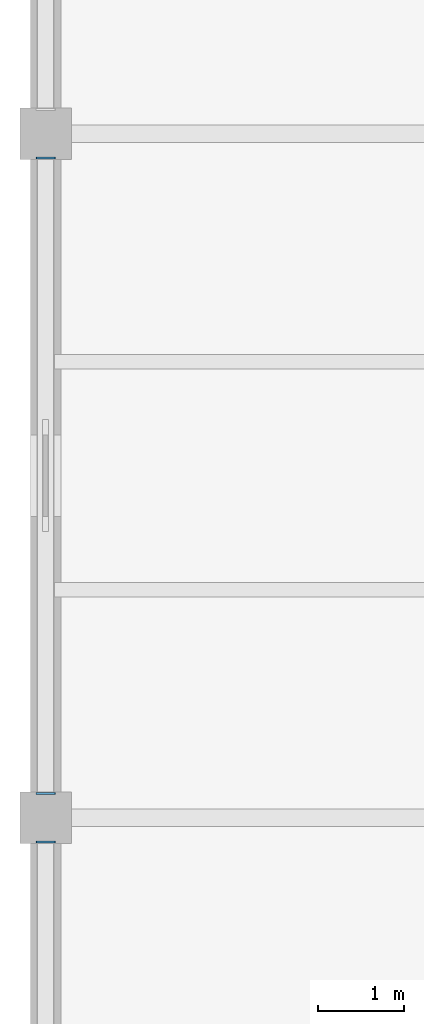
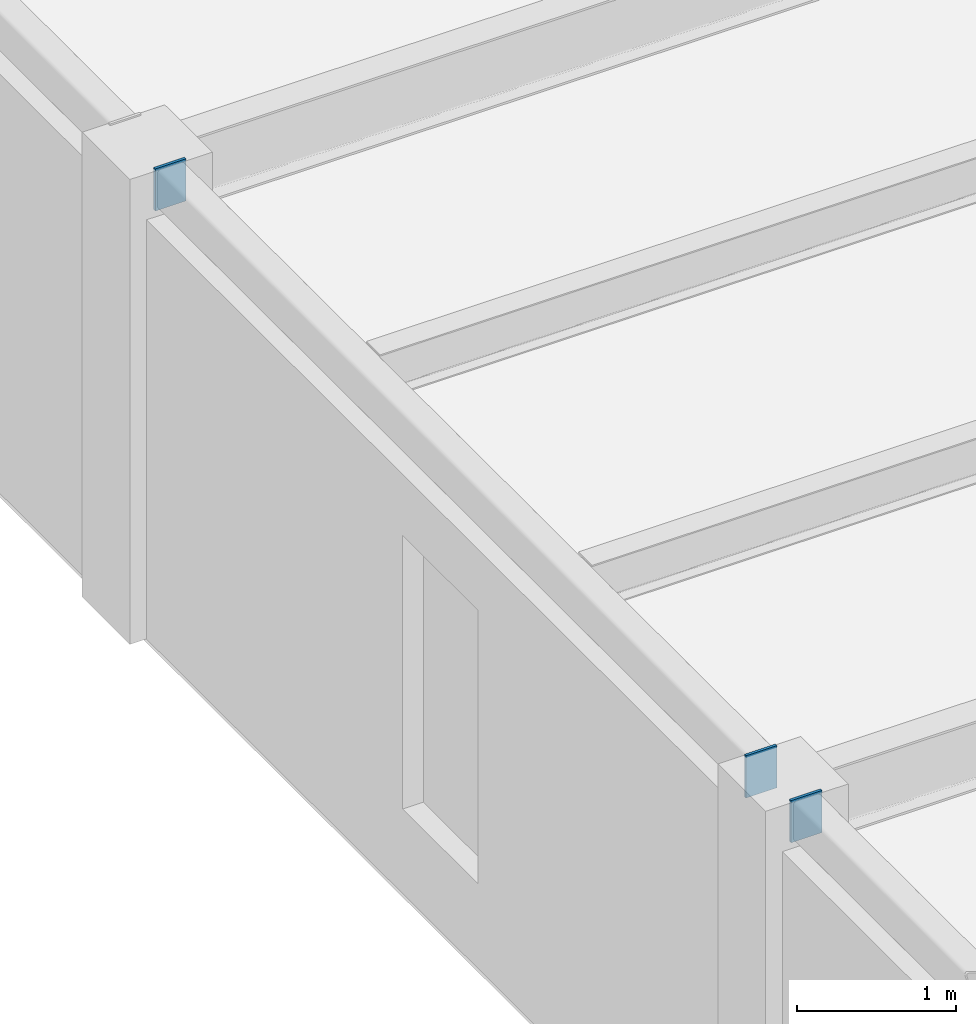
# One storey, part 72 of 96: 3 discrete accessories.
"""IFC4 building model written with IfcOpenShell, lengths in metres."""

from ifc_helpers import new_model, si_unit, direction, frame, origin, origin_2d, place, context, subcontext, project, spatial, rectangle, extrude, material, layer, layer_set, type_object, element, save


model = new_model("IFC4")

# Units and contexts
model_context = context("Model", 3, precision=1e-05, world=origin(), true_north=direction((0.0, 1.0)))
body_context = subcontext(model_context, "Body", "Model", "MODEL_VIEW")
ifc_project = project(units=[si_unit("LENGTHUNIT", "METRE"), si_unit("AREAUNIT", "SQUARE_METRE"), si_unit("VOLUMEUNIT", "CUBIC_METRE"), si_unit("PLANEANGLEUNIT", "RADIAN"), si_unit("MASSUNIT", "GRAM", prefix="KILO")], contexts=[model_context])

# Site, building, storey
site_placement = place(None, origin())
site = spatial("IfcSite", under=ifc_project, at=site_placement, CompositionType="ELEMENT")
building_placement = place(site_placement, origin())
building = spatial("IfcBuilding", under=site, at=building_placement, Name="Kranzveld Transit Interchange", CompositionType="ELEMENT")
storey_placement = place(building_placement, frame((0.0, 0.0, 9.52001953125)))
storey = spatial("IfcBuildingStorey", under=building, at=storey_placement, Name="L02", CompositionType="ELEMENT", Elevation=9.52001953125)

# Discrete accessories
ifc_material = material(Name="Steel S355JR", Category="steel")
ifc_layer = layer(ifc_material, 0.02001953125)
ifc_layer_set = layer_set([ifc_layer], Name="Steel S355JR")
discrete_accessory_type = type_object("IfcDiscreteAccessoryType", Name="Hollow Section End Cap Bracket 20 S355JR", PredefinedType="BRACKET", material=ifc_layer_set)
for number, where, z_axis, x_axis, name in (
    (1, (0.0, 95.7060546875, 3.419921875), (0.0, 1.0, 0.0), (-1.0, 0.0, 0.0), "Hollow Section End Cap SP-RHS300-2"),
    (2, (0.0, 96.2939453125, 3.419921875), (0.0, -1.0, 0.0), (1.0, 0.0, 0.0), "Hollow Section End Cap SP-RHS300-1"),
    (3, (0.0, 103.7060546875, 3.419921875), (0.0, 1.0, 0.0), (-1.0, 0.0, 0.0), "Hollow Section End Cap SP-RHS300-2"),
):
    element("IfcDiscreteAccessory", number, at=place(storey_placement, frame(where, z_axis=z_axis, x_axis=x_axis)), inside=storey, type_object=discrete_accessory_type, Name=name, PredefinedType="BRACKET", context=body_context, shape_type="SweptSolid", body=[
        extrude(rectangle(XDim=0.22412109375, YDim=0.323974609375, at=origin_2d()), origin(), (0.0, 0.0, 1.0), 0.02001953125),
    ])

save(model, "model.ifc")
